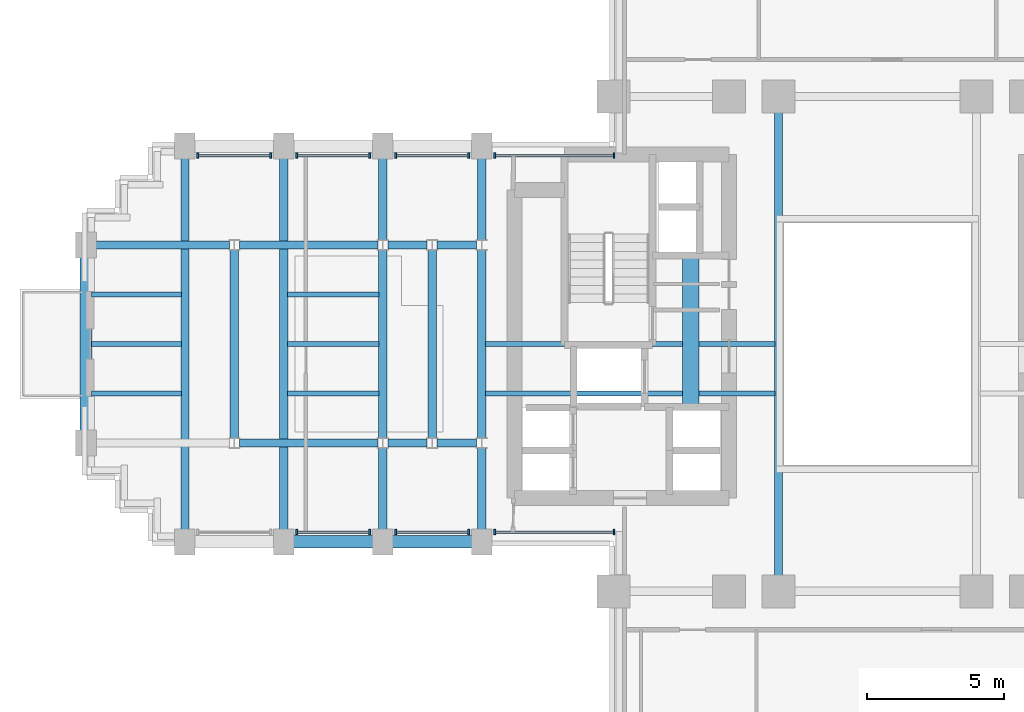
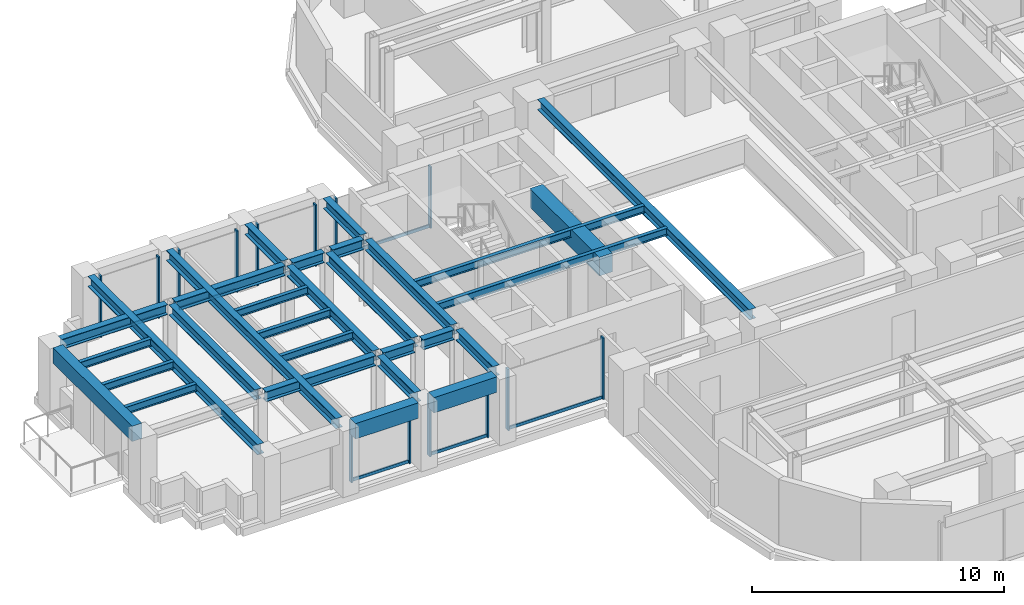
# One storey, part 4 of 15: 30 beams, 21 members, 7 elements without a shape of their own.
"""IFC4 building model written with IfcOpenShell, lengths in metres."""

from ifc_helpers import new_model, si_unit, direction, frame, origin, origin_2d, place, context, subcontext, project, spatial, rectangle, i_section, extrude, source, transform, mapped, material, material_profile, profile_set, type_object, element, aggregate, save


model = new_model("IFC4")

# Units and contexts
model_context = context("Model", 3, precision=1e-05, world=origin(), true_north=direction((0.0, 1.0)))
body_context = subcontext(model_context, "Body", "Model", "MODEL_VIEW")
ifc_project = project(units=[si_unit("LENGTHUNIT", "METRE"), si_unit("AREAUNIT", "SQUARE_METRE"), si_unit("VOLUMEUNIT", "CUBIC_METRE"), si_unit("PLANEANGLEUNIT", "RADIAN"), si_unit("MASSUNIT", "GRAM", prefix="KILO")], contexts=[model_context])

# Site, building, storey
site_placement = place(None, origin())
site = spatial("IfcSite", under=ifc_project, at=site_placement, CompositionType="ELEMENT")
building_placement = place(site_placement, origin())
building = spatial("IfcBuilding", under=site, at=building_placement, Name="Keilestroom Media Tower", CompositionType="ELEMENT")
storey_placement = place(building_placement, frame((0.0, 0.0, 40.800048828125)))
storey = spatial("IfcBuildingStorey", under=building, at=storey_placement, Name="L09", CompositionType="ELEMENT", Elevation=40.800048828125)

# Beams
ifc_material_1 = material(Name="Concrete C70/85", Category="concrete")
ifc_material_profile_1 = material_profile(ifc_material_1, rectangle(XDim=0.60009765625, YDim=0.89990234375, at=origin_2d()), Name="RC 600x900")
ifc_profile_set_1 = profile_set([ifc_material_profile_1], Name="Concrete C70/85")
beam_type_1 = type_object("IfcBeamType", Name="Core-Coupling-Lintel-Beam-RC-600x900", PredefinedType="LINTEL", material=ifc_profile_set_1)
shared_shape_1 = source(origin(), body_context, "Body", "SweptSolid", [
    extrude(rectangle(XDim=0.60009765625, YDim=0.89990234375, at=origin_2d()), origin(), (0.0, 0.0, 1.0), 5.52001953125),
])
beam_1_placement = place(storey_placement, frame((-6.800048828125, -2.300048828125, 2.75), z_axis=(0.0, 1.0, 0.0), x_axis=(-1.0, 0.0, 0.0)))
element("IfcBeam", 1, at=beam_1_placement, inside=storey, type_object=beam_type_1, Name="L09 Beam CLB-1 CLB-L09-W", PredefinedType="LINTEL", context=body_context, shape_type="MappedRepresentation", body=[
    mapped(shared_shape_1, transform((0.0, 0.0, 0.0), x_axis=(1.0, 0.0, 0.0), y_axis=(0.0, 1.0, 0.0), z_axis=(0.0, 0.0, 1.0), scale=1.0)),
])
ifc_material_2 = material(Name="Precast concrete C40/50", Category="concrete")
ifc_material_profile_2 = material_profile(ifc_material_2, rectangle(XDim=0.449951171875, YDim=0.75, at=origin_2d()), Name="PC 450x750")
ifc_profile_set_2 = profile_set([ifc_material_profile_2], Name="Precast concrete C40/50")
beam_type_2 = type_object("IfcBeamType", Name="Perimeter-Spandrel-Beam-PC-450x750", PredefinedType="SPANDREL", material=ifc_profile_set_2)
shared_shape_2 = source(origin(), body_context, "Body", "SweptSolid", [
    extrude(rectangle(XDim=0.449951171875, YDim=0.75, at=origin_2d()), origin(), (0.0, 0.0, 1.0), 6.2900390625),
])
beam_2_placement = place(storey_placement, frame((-28.800048828125, -3.14501953125, 2.824951171875), z_axis=(0.0, 1.0, 0.0), x_axis=(-1.0, 0.0, 0.0)))
element("IfcBeam", 2, at=beam_2_placement, inside=storey, type_object=beam_type_2, Name="L09 Beam SPB-1 BM-L09-NS-051", PredefinedType="SPANDREL", context=body_context, shape_type="MappedRepresentation", body=[
    mapped(shared_shape_2, transform((0.0, 0.0, 0.0), x_axis=(1.0, 0.0, 0.0), y_axis=(0.0, 1.0, 0.0), z_axis=(0.0, 0.0, 1.0), scale=1.0)),
])
shared_shape_3 = source(origin(), body_context, "Body", "SweptSolid", [
    extrude(rectangle(XDim=0.449951171875, YDim=0.75, at=origin_2d()), origin(), (0.0, 0.0, 1.0), 2.89013671875),
])
for number, where, z_axis, x_axis, name in (
    (3, (-21.2451171875, -7.199951171875, 2.824951171875), (1.0, 0.0, 0.0), (0.0, 1.0, 0.0), "L09 Beam SPB-1 BM-L09-EW-013"),
    (4, (-17.64501953125, -7.199951171875, 2.824951171875), (1.0, 0.0, 0.0), (0.0, 1.0, 0.0), "L09 Beam SPB-1 BM-L09-EW-014"),
):
    element("IfcBeam", number, at=place(storey_placement, frame(where, z_axis=z_axis, x_axis=x_axis)), inside=storey, type_object=beam_type_2, Name=name, PredefinedType="SPANDREL", context=body_context, shape_type="MappedRepresentation", body=[
        mapped(shared_shape_3, transform((0.0, 0.0, 0.0), x_axis=(1.0, 0.0, 0.0), y_axis=(0.0, 1.0, 0.0), z_axis=(0.0, 0.0, 1.0), scale=1.0)),
    ])
ifc_material_3 = material(Name="Steel S355", Category="steel")
ifc_material_profile_3 = material_profile(ifc_material_3, i_section(OverallWidth=0.300048828125, OverallDepth=0.5, WebThickness=0.012451171875, FlangeThickness=0.028076171875, at=origin_2d()), Name="HEB 500")
ifc_profile_set_3 = profile_set([ifc_material_profile_3], Name="Steel S355")
beam_type_3 = type_object("IfcBeamType", Name="Primary-Structural-Girder-HEB-500", PredefinedType="BEAM", material=ifc_profile_set_3)
shared_shape_4 = source(origin(), body_context, "Body", "SweptSolid", [
    extrude(i_section(OverallWidth=0.300048828125, OverallDepth=0.5, WebThickness=0.012451171875, FlangeThickness=0.028076171875, at=origin_2d()), origin(), (0.0, 0.0, 1.0), 13.490234375),
])
for number, where, z_axis, x_axis, name in (
    (5, (-25.199951171875, -6.7451171875, 2.949951171875), (0.0, 1.0, 0.0), (-1.0, 0.0, 0.0), "L09 Beam BG-6 BM-L09-NS-052"),
    (6, (-21.60009765625, -6.7451171875, 2.949951171875), (0.0, 1.0, 0.0), (-1.0, 0.0, 0.0), "L09 Beam BG-6 BM-L09-NS-054"),
):
    element("IfcBeam", number, at=place(storey_placement, frame(where, z_axis=z_axis, x_axis=x_axis)), inside=storey, type_object=beam_type_3, Name=name, PredefinedType="BEAM", context=body_context, shape_type="MappedRepresentation", body=[
        mapped(shared_shape_4, transform((0.0, 0.0, 0.0), x_axis=(1.0, 0.0, 0.0), y_axis=(0.0, 1.0, 0.0), z_axis=(0.0, 0.0, 1.0), scale=1.0)),
    ])
shared_shape_5 = source(origin(), body_context, "Body", "SweptSolid", [
    extrude(i_section(OverallWidth=0.300048828125, OverallDepth=0.5, WebThickness=0.012451171875, FlangeThickness=0.028076171875, at=origin_2d()), origin(), (0.0, 0.0, 1.0), 6.8330078125),
])
for number, where, z_axis, x_axis, name in (
    (7, (-23.39990234375, -3.41650390625, 2.949951171875), (0.0, 1.0, 0.0), (-1.0, 0.0, 0.0), "L09 Beam BG-6 BM-L09-NS-053"),
    (8, (-18.0, -3.41650390625, 2.949951171875), (0.0, 1.0, 0.0), (-1.0, 0.0, 0.0), "L09 Beam BG-6 BM-L09-NS-056"),
    (9, (-16.199951171875, -3.41650390625, 2.949951171875), (0.0, 1.0, 0.0), (-1.0, 0.0, 0.0), "L09 Beam BG-6 BM-L09-NS-058"),
    (10, (-14.39990234375, -3.41650390625, 2.949951171875), (0.0, 1.0, 0.0), (-1.0, 0.0, 0.0), "L09 Beam BG-6 BM-L09-NS-060"),
):
    element("IfcBeam", number, at=place(storey_placement, frame(where, z_axis=z_axis, x_axis=x_axis)), inside=storey, type_object=beam_type_3, Name=name, PredefinedType="BEAM", context=body_context, shape_type="MappedRepresentation", body=[
        mapped(shared_shape_5, transform((0.0, 0.0, 0.0), x_axis=(1.0, 0.0, 0.0), y_axis=(0.0, 1.0, 0.0), z_axis=(0.0, 0.0, 1.0), scale=1.0)),
    ])
shared_shape_6 = source(origin(), body_context, "Body", "SweptSolid", [
    extrude(i_section(OverallWidth=0.300048828125, OverallDepth=0.5, WebThickness=0.012451171875, FlangeThickness=0.028076171875, at=origin_2d()), origin(), (0.0, 0.0, 1.0), 2.961669921875),
])
for number, where, z_axis, x_axis, name in (
    (11, (-18.0, -6.7451171875, 2.949951171875), (0.0, 1.0, 0.0), (-1.0, 0.0, 0.0), "L09 Beam BG-6 BM-L09-NS-055"),
    (12, (-18.0, 3.783447265625, 2.949951171875), (0.0, 1.0, 0.0), (-1.0, 0.0, 0.0), "L09 Beam BG-6 BM-L09-NS-057"),
    (13, (-14.39990234375, -6.7451171875, 2.949951171875), (0.0, 1.0, 0.0), (-1.0, 0.0, 0.0), "L09 Beam BG-6 BM-L09-NS-059"),
    (14, (-14.39990234375, 3.783447265625, 2.949951171875), (0.0, 1.0, 0.0), (-1.0, 0.0, 0.0), "L09 Beam BG-6 BM-L09-NS-061"),
):
    element("IfcBeam", number, at=place(storey_placement, frame(where, z_axis=z_axis, x_axis=x_axis)), inside=storey, type_object=beam_type_3, Name=name, PredefinedType="BEAM", context=body_context, shape_type="MappedRepresentation", body=[
        mapped(shared_shape_6, transform((0.0, 0.0, 0.0), x_axis=(1.0, 0.0, 0.0), y_axis=(0.0, 1.0, 0.0), z_axis=(0.0, 0.0, 1.0), scale=1.0)),
    ])
shared_shape_7 = source(origin(), body_context, "Body", "SweptSolid", [
    extrude(i_section(OverallWidth=0.300048828125, OverallDepth=0.5, WebThickness=0.012451171875, FlangeThickness=0.028076171875, at=origin_2d()), origin(), (0.0, 0.0, 1.0), 16.83984375),
])
beam_3_placement = place(storey_placement, frame((-3.60009765625, -8.419921875, 2.949951171875), z_axis=(0.0, 1.0, 0.0), x_axis=(-1.0, 0.0, 0.0)))
element("IfcBeam", 15, at=beam_3_placement, inside=storey, type_object=beam_type_3, Name="L09 Beam BG-6 BM-L09-NS-066", PredefinedType="BEAM", context=body_context, shape_type="MappedRepresentation", body=[
    mapped(shared_shape_7, transform((0.0, 0.0, 0.0), x_axis=(1.0, 0.0, 0.0), y_axis=(0.0, 1.0, 0.0), z_axis=(0.0, 0.0, 1.0), scale=1.0)),
])
ifc_material_profile_4 = material_profile(ifc_material_3, i_section(OverallWidth=0.300048828125, OverallDepth=0.489990234375, WebThickness=0.011962890625, FlangeThickness=0.02294921875, at=origin_2d()), Name="HEA 500")
ifc_profile_set_4 = profile_set([ifc_material_profile_4], Name="Steel S355")
beam_type_4 = type_object("IfcBeamType", Name="Primary-Structural-Girder-HEA-500", PredefinedType="BEAM", material=ifc_profile_set_4)
shared_shape_8 = source(origin(), body_context, "Body", "SweptSolid", [
    extrude(i_section(OverallWidth=0.300048828125, OverallDepth=0.489990234375, WebThickness=0.011962890625, FlangeThickness=0.02294921875, at=origin_2d()), origin(), (0.0, 0.0, 1.0), 4.863037109375),
])
beam_4_placement = place(storey_placement, frame((-28.445068359375, 3.60009765625, 2.954833984375), z_axis=(1.0, 0.0, 0.0), x_axis=(0.0, 1.0, 0.0)))
element("IfcBeam", 16, at=beam_4_placement, inside=storey, type_object=beam_type_4, Name="L09 Beam BG-10 BM-L09-EW-026", PredefinedType="BEAM", context=body_context, shape_type="MappedRepresentation", body=[
    mapped(shared_shape_8, transform((0.0, 0.0, 0.0), x_axis=(1.0, 0.0, 0.0), y_axis=(0.0, 1.0, 0.0), z_axis=(0.0, 0.0, 1.0), scale=1.0)),
])
shared_shape_9 = source(origin(), body_context, "Body", "SweptSolid", [
    extrude(i_section(OverallWidth=0.300048828125, OverallDepth=0.489990234375, WebThickness=0.011962890625, FlangeThickness=0.02294921875, at=origin_2d()), origin(), (0.0, 0.0, 1.0), 5.0361328125),
])
for number, where, z_axis, x_axis, name in (
    (17, (-23.218017578125, -3.60009765625, 2.954833984375), (1.0, 0.0, 0.0), (0.0, 1.0, 0.0), "L09 Beam BG-10 BM-L09-EW-019"),
    (18, (-23.218017578125, 3.60009765625, 2.954833984375), (1.0, 0.0, 0.0), (0.0, 1.0, 0.0), "L09 Beam BG-10 BM-L09-EW-027"),
):
    element("IfcBeam", number, at=place(storey_placement, frame(where, z_axis=z_axis, x_axis=x_axis)), inside=storey, type_object=beam_type_4, Name=name, PredefinedType="BEAM", context=body_context, shape_type="MappedRepresentation", body=[
        mapped(shared_shape_9, transform((0.0, 0.0, 0.0), x_axis=(1.0, 0.0, 0.0), y_axis=(0.0, 1.0, 0.0), z_axis=(0.0, 0.0, 1.0), scale=1.0)),
    ])
shared_shape_10 = source(origin(), body_context, "Body", "SweptSolid", [
    extrude(i_section(OverallWidth=0.300048828125, OverallDepth=0.489990234375, WebThickness=0.011962890625, FlangeThickness=0.02294921875, at=origin_2d()), origin(), (0.0, 0.0, 1.0), 1.43603515625),
])
for number, where, z_axis, x_axis, name in (
    (19, (-17.818115234375, -3.60009765625, 2.954833984375), (1.0, 0.0, 0.0), (0.0, 1.0, 0.0), "L09 Beam BG-10 BM-L09-EW-020"),
    (20, (-16.01806640625, -3.60009765625, 2.954833984375), (1.0, 0.0, 0.0), (0.0, 1.0, 0.0), "L09 Beam BG-10 BM-L09-EW-021"),
    (21, (-17.818115234375, 3.60009765625, 2.954833984375), (1.0, 0.0, 0.0), (0.0, 1.0, 0.0), "L09 Beam BG-10 BM-L09-EW-028"),
    (22, (-16.01806640625, 3.60009765625, 2.954833984375), (1.0, 0.0, 0.0), (0.0, 1.0, 0.0), "L09 Beam BG-10 BM-L09-EW-029"),
):
    element("IfcBeam", number, at=place(storey_placement, frame(where, z_axis=z_axis, x_axis=x_axis)), inside=storey, type_object=beam_type_4, Name=name, PredefinedType="BEAM", context=body_context, shape_type="MappedRepresentation", body=[
        mapped(shared_shape_10, transform((0.0, 0.0, 0.0), x_axis=(1.0, 0.0, 0.0), y_axis=(0.0, 1.0, 0.0), z_axis=(0.0, 0.0, 1.0), scale=1.0)),
    ])
ifc_material_profile_5 = material_profile(ifc_material_3, i_section(OverallWidth=0.169921875, OverallDepth=0.360107421875, WebThickness=0.008056640625, FlangeThickness=0.0126953125, at=origin_2d()), Name="IPE 360")
ifc_profile_set_5 = profile_set([ifc_material_profile_5], Name="Steel S355")
beam_type_5 = type_object("IfcBeamType", Name="Secondary-Floor-Joist-IPE-360", PredefinedType="JOIST", material=ifc_profile_set_5)
shared_shape_11 = source(origin(), body_context, "Body", "SweptSolid", [
    extrude(i_section(OverallWidth=0.169921875, OverallDepth=0.360107421875, WebThickness=0.008056640625, FlangeThickness=0.0126953125, at=origin_2d()), origin(), (0.0, 0.0, 1.0), 3.264892578125),
])
for number, where, z_axis, x_axis, name in (
    (23, (-28.594970703125, -1.800048828125, 3.02001953125), (1.0, 0.0, 0.0), (0.0, 1.0, 0.0), "L09 Beam BJ-5 JST-L09-089"),
    (24, (-28.594970703125, 0.0, 3.02001953125), (1.0, 0.0, 0.0), (0.0, 1.0, 0.0), "L09 Beam BJ-5 JST-L09-096"),
    (25, (-28.594970703125, 1.800048828125, 3.02001953125), (1.0, 0.0, 0.0), (0.0, 1.0, 0.0), "L09 Beam BJ-5 JST-L09-103"),
):
    element("IfcBeam", number, at=place(storey_placement, frame(where, z_axis=z_axis, x_axis=x_axis)), inside=storey, type_object=beam_type_5, Name=name, PredefinedType="JOIST", context=body_context, shape_type="MappedRepresentation", body=[
        mapped(shared_shape_11, transform((0.0, 0.0, 0.0), x_axis=(1.0, 0.0, 0.0), y_axis=(0.0, 1.0, 0.0), z_axis=(0.0, 0.0, 1.0), scale=1.0)),
    ])
shared_shape_12 = source(origin(), body_context, "Body", "SweptSolid", [
    extrude(i_section(OverallWidth=0.169921875, OverallDepth=0.360107421875, WebThickness=0.008056640625, FlangeThickness=0.0126953125, at=origin_2d()), origin(), (0.0, 0.0, 1.0), 3.340087890625),
])
for number, where, z_axis, x_axis, name in (
    (26, (-21.469970703125, -1.800048828125, 3.02001953125), (1.0, 0.0, 0.0), (0.0, 1.0, 0.0), "L09 Beam BJ-5 JST-L09-090"),
    (27, (-21.469970703125, 0.0, 3.02001953125), (1.0, 0.0, 0.0), (0.0, 1.0, 0.0), "L09 Beam BJ-5 JST-L09-097"),
    (28, (-21.469970703125, 1.800048828125, 3.02001953125), (1.0, 0.0, 0.0), (0.0, 1.0, 0.0), "L09 Beam BJ-5 JST-L09-104"),
):
    element("IfcBeam", number, at=place(storey_placement, frame(where, z_axis=z_axis, x_axis=x_axis)), inside=storey, type_object=beam_type_5, Name=name, PredefinedType="JOIST", context=body_context, shape_type="MappedRepresentation", body=[
        mapped(shared_shape_12, transform((0.0, 0.0, 0.0), x_axis=(1.0, 0.0, 0.0), y_axis=(0.0, 1.0, 0.0), z_axis=(0.0, 0.0, 1.0), scale=1.0)),
    ])
shared_shape_13 = source(origin(), body_context, "Body", "SweptSolid", [
    extrude(i_section(OverallWidth=0.169921875, OverallDepth=0.360107421875, WebThickness=0.008056640625, FlangeThickness=0.0126953125, at=origin_2d()), origin(), (0.0, 0.0, 1.0), 10.5400390625),
])
for number, where, z_axis, x_axis, name in (
    (29, (-14.27001953125, -1.800048828125, 3.02001953125), (1.0, 0.0, 0.0), (0.0, 1.0, 0.0), "L09 Beam BJ-5 JST-L09-091"),
    (30, (-14.27001953125, 0.0, 3.02001953125), (1.0, 0.0, 0.0), (0.0, 1.0, 0.0), "L09 Beam BJ-5 JST-L09-098"),
):
    element("IfcBeam", number, at=place(storey_placement, frame(where, z_axis=z_axis, x_axis=x_axis)), inside=storey, type_object=beam_type_5, Name=name, PredefinedType="JOIST", context=body_context, shape_type="MappedRepresentation", body=[
        mapped(shared_shape_13, transform((0.0, 0.0, 0.0), x_axis=(1.0, 0.0, 0.0), y_axis=(0.0, 1.0, 0.0), z_axis=(0.0, 0.0, 1.0), scale=1.0)),
    ])

# Curtain wall, members
ifc_material_4 = material(Name="Anodised Aluminium Alloy", Category="aluminium")
curtain_wall_type = type_object("IfcCurtainWallType", Name="Unitised-Curtain-Wall-CW-1", PredefinedType="NOTDEFINED", material=ifc_material_4)
curtain_wall_1_placement = place(storey_placement, origin())
curtain_wall_1 = element("IfcCurtainWall", 31, at=curtain_wall_1_placement, inside=storey, type_object=curtain_wall_type, Name="L09 Curtain Wall CW-1 CW-L09-NW-1", PredefinedType="NOTDEFINED")
ifc_material_profile_6 = material_profile(ifc_material_4, rectangle(XDim=0.070068359375, YDim=0.199951171875, at=origin_2d()), Name="ALU MULLION 70x200")
ifc_profile_set_6 = profile_set([ifc_material_profile_6], Name="Anodised Aluminium Alloy")
member_type_1 = type_object("IfcMemberType", Name="Curtain-Wall-Mullion-CW-1", PredefinedType="MULLION", material=ifc_profile_set_6)
shared_shape_14 = source(origin(), body_context, "Body", "SweptSolid", [
    extrude(rectangle(XDim=0.070068359375, YDim=0.199951171875, at=origin_2d()), origin(), (0.0, 0.0, 1.0), 2.97998046875),
])
member_1_placement = place(storey_placement, frame((-24.72998046875, 6.85009765625, 0.0), z_axis=(0.0, 0.0, 1.0), x_axis=(1.0, 0.0, 0.0)))
member_1 = element("IfcMember", 32, at=member_1_placement, type_object=member_type_1, Name="CW-1 Mullion 00", PredefinedType="MULLION", context=body_context, shape_type="MappedRepresentation", body=[
    mapped(shared_shape_14, transform((0.0, 0.0, 0.0), x_axis=(1.0, 0.0, 0.0), y_axis=(0.0, 1.0, 0.0), z_axis=(0.0, 0.0, 1.0), scale=1.0)),
])
member_2_placement = place(storey_placement, frame((-22.070068359375, 6.85009765625, 0.0), z_axis=(0.0, 0.0, 1.0), x_axis=(1.0, 0.0, 0.0)))
member_2 = element("IfcMember", 33, at=member_2_placement, type_object=member_type_1, Name="CW-1 Mullion 01", PredefinedType="MULLION", context=body_context, shape_type="MappedRepresentation", body=[
    mapped(shared_shape_14, transform((0.0, 0.0, 0.0), x_axis=(1.0, 0.0, 0.0), y_axis=(0.0, 1.0, 0.0), z_axis=(0.0, 0.0, 1.0), scale=1.0)),
])

curtain_wall_2_placement = place(storey_placement, origin())
curtain_wall_2 = element("IfcCurtainWall", 34, at=curtain_wall_2_placement, inside=storey, type_object=curtain_wall_type, Name="L09 Curtain Wall CW-1 CW-L09-NW-2", PredefinedType="NOTDEFINED")
member_3_placement = place(storey_placement, frame((-21.1298828125, 6.85009765625, 0.0), z_axis=(0.0, 0.0, 1.0), x_axis=(1.0, 0.0, 0.0)))
member_3 = element("IfcMember", 35, at=member_3_placement, type_object=member_type_1, Name="CW-1 Mullion 00", PredefinedType="MULLION", context=body_context, shape_type="MappedRepresentation", body=[
    mapped(shared_shape_14, transform((0.0, 0.0, 0.0), x_axis=(1.0, 0.0, 0.0), y_axis=(0.0, 1.0, 0.0), z_axis=(0.0, 0.0, 1.0), scale=1.0)),
])
member_4_placement = place(storey_placement, frame((-18.469970703125, 6.85009765625, 0.0), z_axis=(0.0, 0.0, 1.0), x_axis=(1.0, 0.0, 0.0)))
member_4 = element("IfcMember", 36, at=member_4_placement, type_object=member_type_1, Name="CW-1 Mullion 01", PredefinedType="MULLION", context=body_context, shape_type="MappedRepresentation", body=[
    mapped(shared_shape_14, transform((0.0, 0.0, 0.0), x_axis=(1.0, 0.0, 0.0), y_axis=(0.0, 1.0, 0.0), z_axis=(0.0, 0.0, 1.0), scale=1.0)),
])

curtain_wall_3_placement = place(storey_placement, origin())
curtain_wall_3 = element("IfcCurtainWall", 37, at=curtain_wall_3_placement, inside=storey, type_object=curtain_wall_type, Name="L09 Curtain Wall CW-1 CW-L09-NW-3", PredefinedType="NOTDEFINED")
member_5_placement = place(storey_placement, frame((-17.530029296875, 6.85009765625, 0.0), z_axis=(0.0, 0.0, 1.0), x_axis=(1.0, 0.0, 0.0)))
member_5 = element("IfcMember", 38, at=member_5_placement, type_object=member_type_1, Name="CW-1 Mullion 00", PredefinedType="MULLION", context=body_context, shape_type="MappedRepresentation", body=[
    mapped(shared_shape_14, transform((0.0, 0.0, 0.0), x_axis=(1.0, 0.0, 0.0), y_axis=(0.0, 1.0, 0.0), z_axis=(0.0, 0.0, 1.0), scale=1.0)),
])
member_6_placement = place(storey_placement, frame((-14.8701171875, 6.85009765625, 0.0), z_axis=(0.0, 0.0, 1.0), x_axis=(1.0, 0.0, 0.0)))
member_6 = element("IfcMember", 39, at=member_6_placement, type_object=member_type_1, Name="CW-1 Mullion 01", PredefinedType="MULLION", context=body_context, shape_type="MappedRepresentation", body=[
    mapped(shared_shape_14, transform((0.0, 0.0, 0.0), x_axis=(1.0, 0.0, 0.0), y_axis=(0.0, 1.0, 0.0), z_axis=(0.0, 0.0, 1.0), scale=1.0)),
])

curtain_wall_4_placement = place(storey_placement, origin())
curtain_wall_4 = element("IfcCurtainWall", 40, at=curtain_wall_4_placement, inside=storey, type_object=curtain_wall_type, Name="L09 Curtain Wall CW-1 CW-L09-NW-4", PredefinedType="NOTDEFINED")
member_7_placement = place(storey_placement, frame((-13.929931640625, 6.85009765625, 0.0), z_axis=(0.0, 0.0, 1.0), x_axis=(1.0, 0.0, 0.0)))
member_7 = element("IfcMember", 41, at=member_7_placement, type_object=member_type_1, Name="CW-1 Mullion 00", PredefinedType="MULLION", context=body_context, shape_type="MappedRepresentation", body=[
    mapped(shared_shape_14, transform((0.0, 0.0, 0.0), x_axis=(1.0, 0.0, 0.0), y_axis=(0.0, 1.0, 0.0), z_axis=(0.0, 0.0, 1.0), scale=1.0)),
])
member_8_placement = place(storey_placement, frame((-9.5849609375, 6.85009765625, 0.0), z_axis=(0.0, 0.0, 1.0), x_axis=(1.0, 0.0, 0.0)))
member_8 = element("IfcMember", 42, at=member_8_placement, type_object=member_type_1, Name="CW-1 Mullion 01", PredefinedType="MULLION", context=body_context, shape_type="MappedRepresentation", body=[
    mapped(shared_shape_14, transform((0.0, 0.0, 0.0), x_axis=(1.0, 0.0, 0.0), y_axis=(0.0, 1.0, 0.0), z_axis=(0.0, 0.0, 1.0), scale=1.0)),
])

curtain_wall_5_placement = place(storey_placement, origin())
curtain_wall_5 = element("IfcCurtainWall", 43, at=curtain_wall_5_placement, inside=storey, type_object=curtain_wall_type, Name="L09 Curtain Wall CW-1 CW-L09-SW-2", PredefinedType="NOTDEFINED")
member_9_placement = place(storey_placement, frame((-21.1298828125, -6.85009765625, 0.0), z_axis=(0.0, 0.0, 1.0), x_axis=(1.0, 0.0, 0.0)))
member_9 = element("IfcMember", 44, at=member_9_placement, type_object=member_type_1, Name="CW-1 Mullion 00", PredefinedType="MULLION", context=body_context, shape_type="MappedRepresentation", body=[
    mapped(shared_shape_14, transform((0.0, 0.0, 0.0), x_axis=(1.0, 0.0, 0.0), y_axis=(0.0, 1.0, 0.0), z_axis=(0.0, 0.0, 1.0), scale=1.0)),
])
member_10_placement = place(storey_placement, frame((-18.469970703125, -6.85009765625, 0.0), z_axis=(0.0, 0.0, 1.0), x_axis=(1.0, 0.0, 0.0)))
member_10 = element("IfcMember", 45, at=member_10_placement, type_object=member_type_1, Name="CW-1 Mullion 01", PredefinedType="MULLION", context=body_context, shape_type="MappedRepresentation", body=[
    mapped(shared_shape_14, transform((0.0, 0.0, 0.0), x_axis=(1.0, 0.0, 0.0), y_axis=(0.0, 1.0, 0.0), z_axis=(0.0, 0.0, 1.0), scale=1.0)),
])

curtain_wall_6_placement = place(storey_placement, origin())
curtain_wall_6 = element("IfcCurtainWall", 46, at=curtain_wall_6_placement, inside=storey, type_object=curtain_wall_type, Name="L09 Curtain Wall CW-1 CW-L09-SW-3", PredefinedType="NOTDEFINED")
member_11_placement = place(storey_placement, frame((-17.530029296875, -6.85009765625, 0.0), z_axis=(0.0, 0.0, 1.0), x_axis=(1.0, 0.0, 0.0)))
member_11 = element("IfcMember", 47, at=member_11_placement, type_object=member_type_1, Name="CW-1 Mullion 00", PredefinedType="MULLION", context=body_context, shape_type="MappedRepresentation", body=[
    mapped(shared_shape_14, transform((0.0, 0.0, 0.0), x_axis=(1.0, 0.0, 0.0), y_axis=(0.0, 1.0, 0.0), z_axis=(0.0, 0.0, 1.0), scale=1.0)),
])
member_12_placement = place(storey_placement, frame((-14.8701171875, -6.85009765625, 0.0), z_axis=(0.0, 0.0, 1.0), x_axis=(1.0, 0.0, 0.0)))
member_12 = element("IfcMember", 48, at=member_12_placement, type_object=member_type_1, Name="CW-1 Mullion 01", PredefinedType="MULLION", context=body_context, shape_type="MappedRepresentation", body=[
    mapped(shared_shape_14, transform((0.0, 0.0, 0.0), x_axis=(1.0, 0.0, 0.0), y_axis=(0.0, 1.0, 0.0), z_axis=(0.0, 0.0, 1.0), scale=1.0)),
])

curtain_wall_7_placement = place(storey_placement, origin())
curtain_wall_7 = element("IfcCurtainWall", 49, at=curtain_wall_7_placement, inside=storey, type_object=curtain_wall_type, Name="L09 Curtain Wall CW-1 CW-L09-SW-4", PredefinedType="NOTDEFINED")
member_13_placement = place(storey_placement, frame((-13.929931640625, -6.85009765625, 0.0), z_axis=(0.0, 0.0, 1.0), x_axis=(1.0, 0.0, 0.0)))
member_13 = element("IfcMember", 50, at=member_13_placement, type_object=member_type_1, Name="CW-1 Mullion 00", PredefinedType="MULLION", context=body_context, shape_type="MappedRepresentation", body=[
    mapped(shared_shape_14, transform((0.0, 0.0, 0.0), x_axis=(1.0, 0.0, 0.0), y_axis=(0.0, 1.0, 0.0), z_axis=(0.0, 0.0, 1.0), scale=1.0)),
])
member_14_placement = place(storey_placement, frame((-9.5849609375, -6.85009765625, 0.0), z_axis=(0.0, 0.0, 1.0), x_axis=(1.0, 0.0, 0.0)))
member_14 = element("IfcMember", 51, at=member_14_placement, type_object=member_type_1, Name="CW-1 Mullion 01", PredefinedType="MULLION", context=body_context, shape_type="MappedRepresentation", body=[
    mapped(shared_shape_14, transform((0.0, 0.0, 0.0), x_axis=(1.0, 0.0, 0.0), y_axis=(0.0, 1.0, 0.0), z_axis=(0.0, 0.0, 1.0), scale=1.0)),
])

# Member
ifc_material_profile_7 = material_profile(ifc_material_4, rectangle(XDim=0.06494140625, YDim=0.14990234375, at=origin_2d()), Name="ALU TRANSOM 65x150")
ifc_profile_set_7 = profile_set([ifc_material_profile_7], Name="Anodised Aluminium Alloy")
member_type_2 = type_object("IfcMemberType", Name="Curtain-Wall-Transom-CW-1", PredefinedType="USERDEFINED", material=ifc_profile_set_7)
shared_shape_15 = source(origin(), body_context, "Body", "SweptSolid", [
    extrude(rectangle(XDim=0.06494140625, YDim=0.14990234375, at=origin_2d()), origin(), (0.0, 0.0, 1.0), 2.593994140625),
])
member_15_placement = place(storey_placement, frame((-24.697021484375, 6.85009765625, 0.074951171875), z_axis=(1.0, 0.0, 0.0), x_axis=(0.0, 1.0, 0.0)))
member_15 = element("IfcMember", 52, at=member_15_placement, type_object=member_type_2, Name="CW-1 Transom 00.1", ObjectType="TRANSOM", PredefinedType="USERDEFINED", context=body_context, shape_type="MappedRepresentation", body=[
    mapped(shared_shape_15, transform((0.0, 0.0, 0.0), x_axis=(1.0, 0.0, 0.0), y_axis=(0.0, 1.0, 0.0), z_axis=(0.0, 0.0, 1.0), scale=1.0)),
])

aggregate(curtain_wall_1, [member_1, member_2, member_15])

member_16_placement = place(storey_placement, frame((-21.096923828125, 6.85009765625, 0.074951171875), z_axis=(1.0, 0.0, 0.0), x_axis=(0.0, 1.0, 0.0)))
member_16 = element("IfcMember", 53, at=member_16_placement, type_object=member_type_2, Name="CW-1 Transom 00.1", ObjectType="TRANSOM", PredefinedType="USERDEFINED", context=body_context, shape_type="MappedRepresentation", body=[
    mapped(shared_shape_15, transform((0.0, 0.0, 0.0), x_axis=(1.0, 0.0, 0.0), y_axis=(0.0, 1.0, 0.0), z_axis=(0.0, 0.0, 1.0), scale=1.0)),
])

aggregate(curtain_wall_2, [member_3, member_4, member_16])

member_17_placement = place(storey_placement, frame((-17.4970703125, 6.85009765625, 0.074951171875), z_axis=(1.0, 0.0, 0.0), x_axis=(0.0, 1.0, 0.0)))
member_17 = element("IfcMember", 54, at=member_17_placement, type_object=member_type_2, Name="CW-1 Transom 00.1", ObjectType="TRANSOM", PredefinedType="USERDEFINED", context=body_context, shape_type="MappedRepresentation", body=[
    mapped(shared_shape_15, transform((0.0, 0.0, 0.0), x_axis=(1.0, 0.0, 0.0), y_axis=(0.0, 1.0, 0.0), z_axis=(0.0, 0.0, 1.0), scale=1.0)),
])

aggregate(curtain_wall_3, [member_5, member_6, member_17])

member_18_placement = place(storey_placement, frame((-21.096923828125, -6.85009765625, 0.074951171875), z_axis=(1.0, 0.0, 0.0), x_axis=(0.0, 1.0, 0.0)))
member_18 = element("IfcMember", 55, at=member_18_placement, type_object=member_type_2, Name="CW-1 Transom 00.1", ObjectType="TRANSOM", PredefinedType="USERDEFINED", context=body_context, shape_type="MappedRepresentation", body=[
    mapped(shared_shape_15, transform((0.0, 0.0, 0.0), x_axis=(1.0, 0.0, 0.0), y_axis=(0.0, 1.0, 0.0), z_axis=(0.0, 0.0, 1.0), scale=1.0)),
])

aggregate(curtain_wall_5, [member_9, member_10, member_18])

member_19_placement = place(storey_placement, frame((-17.4970703125, -6.85009765625, 0.074951171875), z_axis=(1.0, 0.0, 0.0), x_axis=(0.0, 1.0, 0.0)))
member_19 = element("IfcMember", 56, at=member_19_placement, type_object=member_type_2, Name="CW-1 Transom 00.1", ObjectType="TRANSOM", PredefinedType="USERDEFINED", context=body_context, shape_type="MappedRepresentation", body=[
    mapped(shared_shape_15, transform((0.0, 0.0, 0.0), x_axis=(1.0, 0.0, 0.0), y_axis=(0.0, 1.0, 0.0), z_axis=(0.0, 0.0, 1.0), scale=1.0)),
])

aggregate(curtain_wall_6, [member_11, member_12, member_19])

shared_shape_16 = source(origin(), body_context, "Body", "SweptSolid", [
    extrude(rectangle(XDim=0.06494140625, YDim=0.14990234375, at=origin_2d()), origin(), (0.0, 0.0, 1.0), 4.279052734375),
])
member_20_placement = place(storey_placement, frame((-13.89697265625, 6.85009765625, 0.074951171875), z_axis=(1.0, 0.0, 0.0), x_axis=(0.0, 1.0, 0.0)))
member_20 = element("IfcMember", 57, at=member_20_placement, type_object=member_type_2, Name="CW-1 Transom 00.1", ObjectType="TRANSOM", PredefinedType="USERDEFINED", context=body_context, shape_type="MappedRepresentation", body=[
    mapped(shared_shape_16, transform((0.0, 0.0, 0.0), x_axis=(1.0, 0.0, 0.0), y_axis=(0.0, 1.0, 0.0), z_axis=(0.0, 0.0, 1.0), scale=1.0)),
])

aggregate(curtain_wall_4, [member_7, member_8, member_20])

member_21_placement = place(storey_placement, frame((-13.89697265625, -6.85009765625, 0.074951171875), z_axis=(1.0, 0.0, 0.0), x_axis=(0.0, 1.0, 0.0)))
member_21 = element("IfcMember", 58, at=member_21_placement, type_object=member_type_2, Name="CW-1 Transom 00.1", ObjectType="TRANSOM", PredefinedType="USERDEFINED", context=body_context, shape_type="MappedRepresentation", body=[
    mapped(shared_shape_16, transform((0.0, 0.0, 0.0), x_axis=(1.0, 0.0, 0.0), y_axis=(0.0, 1.0, 0.0), z_axis=(0.0, 0.0, 1.0), scale=1.0)),
])

aggregate(curtain_wall_7, [member_13, member_14, member_21])

save(model, "model.ifc")
